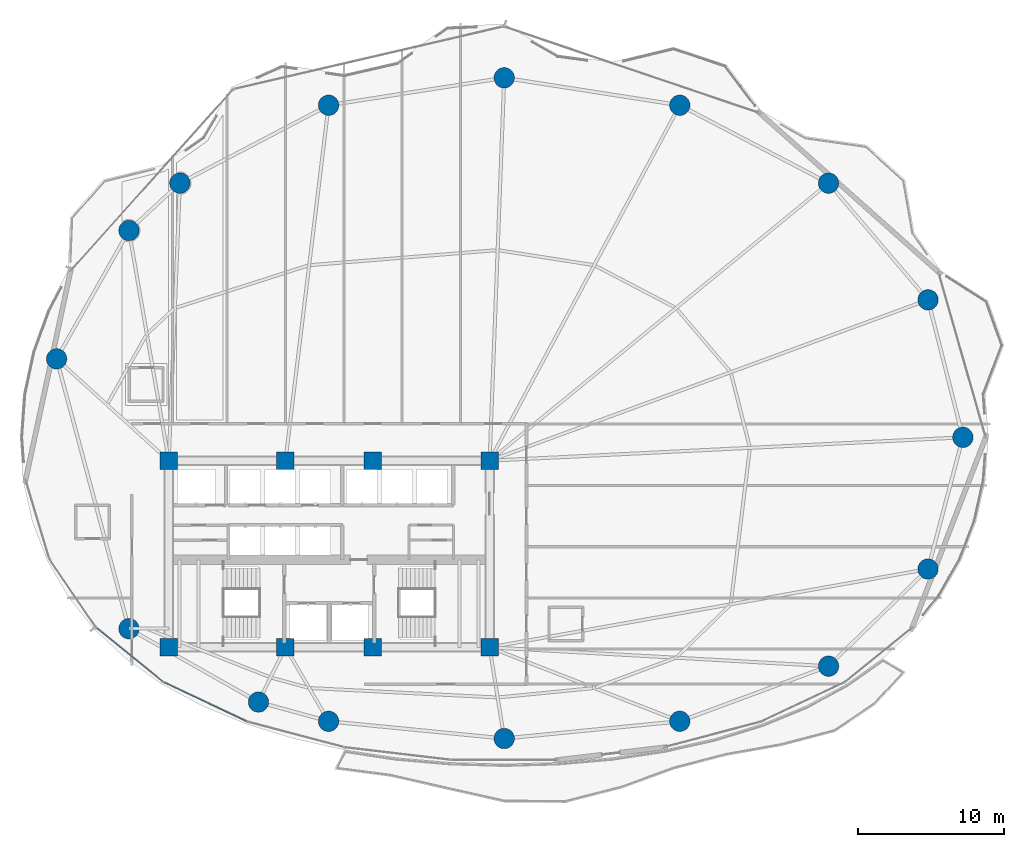
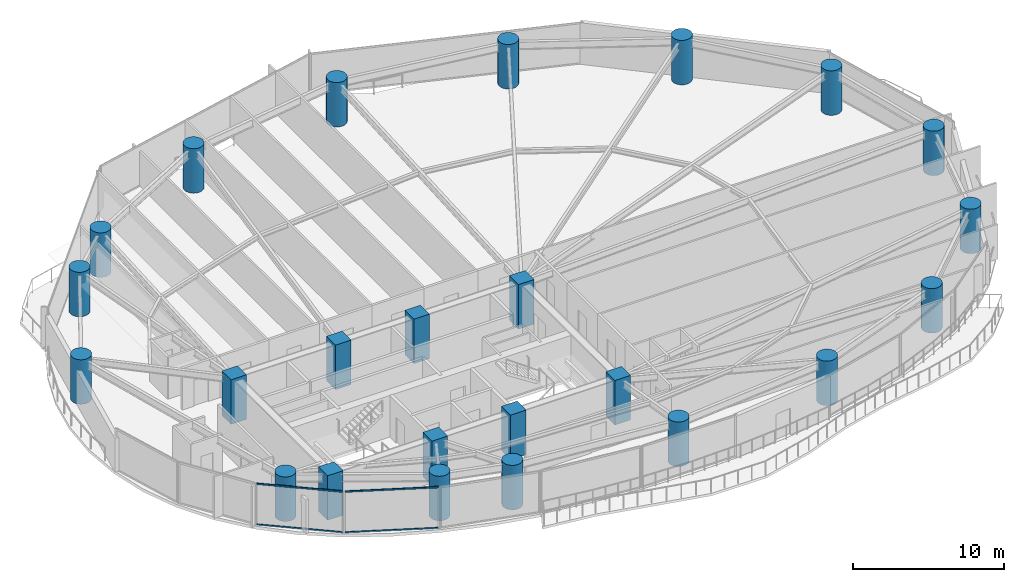
# One storey, part 1 of 32: 24 columns, 4 members, 2 elements without a shape of their own.
"""IFC4 building model written with IfcOpenShell, lengths in metres."""

from ifc_helpers import new_model, si_unit, direction, frame, origin, origin_2d, place, context, subcontext, project, spatial, rectangle, hollow_rectangle, circle, extrude, material, layer, layer_set, material_profile, profile_set, type_object, element, aggregate, save


model = new_model("IFC4")

# Units and contexts
model_context = context("Model", 3, precision=1e-05, world=origin(), true_north=direction((0.0, 1.0)))
body_context = subcontext(model_context, "Body", "Model", "MODEL_VIEW")
ifc_project = project(units=[si_unit("LENGTHUNIT", "METRE"), si_unit("AREAUNIT", "SQUARE_METRE"), si_unit("VOLUMEUNIT", "CUBIC_METRE"), si_unit("PLANEANGLEUNIT", "RADIAN"), si_unit("MASSUNIT", "GRAM", prefix="KILO")], contexts=[model_context])

# Site, building, storey
site_placement = place(None, origin())
site = spatial("IfcSite", under=ifc_project, at=site_placement, CompositionType="ELEMENT")
building_placement = place(site_placement, origin())
building = spatial("IfcBuilding", under=site, at=building_placement, Name="Kazevale Care Tower and Concert Hall", CompositionType="ELEMENT")
storey_placement = place(building_placement, frame((0.0, 0.0, 85.199951171875)))
storey = spatial("IfcBuildingStorey", under=building, at=storey_placement, Name="L22", CompositionType="ELEMENT", Elevation=85.199951171875)

# Columns
ifc_material_1 = material(Name="Concrete C70", Category="concrete")
ifc_material_profile_1 = material_profile(ifc_material_1, rectangle(XDim=1.199951171875, YDim=1.199951171875, at=origin_2d()), Name="RC-SQ1200")
ifc_profile_set_1 = profile_set([ifc_material_profile_1], Name="Concrete C70")
column_type_1 = type_object("IfcColumnType", Name="Core Column SQ1200 C70", PredefinedType="COLUMN", material=ifc_profile_set_1)
for number, where, z_axis, x_axis, name in (
    (1, (22.0, 23.60009765625, 0.0), (0.0, 0.0, 1.0), (1.0, 0.0, 0.0), "col:L22:CC-01"),
    (2, (30.0, 23.60009765625, 0.0), (0.0, 0.0, 1.0), (1.0, 0.0, 0.0), "col:L22:CC-02"),
    (3, (36.0, 23.60009765625, 0.0), (0.0, 0.0, 1.0), (1.0, 0.0, 0.0), "col:L22:CC-03"),
    (4, (44.0, 23.60009765625, 0.0), (0.0, 0.0, 1.0), (1.0, 0.0, 0.0), "col:L22:CC-04"),
    (5, (44.0, 36.39990234375, 0.0), (0.0, 0.0, 1.0), (1.0, 0.0, 0.0), "col:L22:CC-05"),
    (6, (36.0, 36.39990234375, 0.0), (0.0, 0.0, 1.0), (1.0, 0.0, 0.0), "col:L22:CC-06"),
    (7, (30.0, 36.39990234375, 0.0), (0.0, 0.0, 1.0), (1.0, 0.0, 0.0), "col:L22:CC-07"),
    (8, (22.0, 36.39990234375, 0.0), (0.0, 0.0, 1.0), (1.0, 0.0, 0.0), "col:L22:CC-08"),
):
    element("IfcColumn", number, at=place(storey_placement, frame(where, z_axis=z_axis, x_axis=x_axis)), inside=storey, type_object=column_type_1, Name=name, PredefinedType="COLUMN", context=body_context, shape_type="SweptSolid", body=[
        extrude(rectangle(XDim=1.199951171875, YDim=1.199951171875, at=origin_2d()), origin(), (0.0, 0.0, 1.0), 3.60009765625),
    ])
ifc_material_profile_2 = material_profile(ifc_material_1, circle(Radius=0.699951171875, at=origin_2d()), Name="RC-CIR1400")
ifc_profile_set_2 = profile_set([ifc_material_profile_2], Name="Concrete C70")
column_type_2 = type_object("IfcColumnType", Name="Perimeter Column CIR1400 C70", PredefinedType="COLUMN", material=ifc_profile_set_2)
for number, where, z_axis, x_axis, name in (
    (9, (76.449951171875, 38.0, 0.0), (0.0, 0.0, 1.0), (1.0, 0.0, 0.0), "col:L22:PC-01"),
    (10, (74.06005859375, 47.429931640625, 0.0), (0.0, 0.0, 1.0), (1.0, 0.0, 0.0), "col:L22:PC-02"),
    (11, (67.239990234375, 55.429931640625, 0.0), (0.0, 0.0, 1.0), (1.0, 0.0, 0.0), "col:L22:PC-03"),
    (12, (57.0400390625, 60.77001953125, 0.0), (0.0, 0.0, 1.0), (1.0, 0.0, 0.0), "col:L22:PC-04"),
    (13, (45.0, 62.64990234375, 0.0), (0.0, 0.0, 1.0), (1.0, 0.0, 0.0), "col:L22:PC-05"),
    (14, (32.9599609375, 60.77001953125, 0.0), (0.0, 0.0, 1.0), (1.0, 0.0, 0.0), "col:L22:PC-06"),
    (15, (22.760009765625, 55.429931640625, 0.0), (0.0, 0.0, 1.0), (1.0, 0.0, 0.0), "col:L22:PC-07"),
    (16, (19.27001953125, 52.179931640625, 0.0), (0.0, 0.0, 1.0), (1.0, 0.0, 0.0), "col:L22:PC-08"),
    (17, (14.31005859375, 43.3798828125, 0.0), (0.0, 0.0, 1.0), (1.0, 0.0, 0.0), "col:L22:PC-09"),
    (18, (19.27001953125, 24.8798828125, 0.0), (0.0, 0.0, 1.0), (1.0, 0.0, 0.0), "col:L22:PC-10"),
    (19, (28.14990234375, 19.85009765625, 0.0), (0.0, 0.0, 1.0), (1.0, 0.0, 0.0), "col:L22:PC-11"),
    (20, (32.9599609375, 18.530029296875, 0.0), (0.0, 0.0, 1.0), (1.0, 0.0, 0.0), "col:L22:PC-12"),
    (21, (45.0, 17.35009765625, 0.0), (0.0, 0.0, 1.0), (1.0, 0.0, 0.0), "col:L22:PC-13"),
    (22, (57.0400390625, 18.530029296875, 0.0), (0.0, 0.0, 1.0), (1.0, 0.0, 0.0), "col:L22:PC-14"),
    (23, (67.239990234375, 22.31005859375, 0.0), (0.0, 0.0, 1.0), (1.0, 0.0, 0.0), "col:L22:PC-15"),
    (24, (74.06005859375, 28.969970703125, 0.0), (0.0, 0.0, 1.0), (1.0, 0.0, 0.0), "col:L22:PC-16"),
):
    element("IfcColumn", number, at=place(storey_placement, frame(where, z_axis=z_axis, x_axis=x_axis)), inside=storey, type_object=column_type_2, Name=name, PredefinedType="COLUMN", context=body_context, shape_type="SweptSolid", body=[
        extrude(circle(Radius=0.699951171875, at=origin_2d()), origin(), (0.0, 0.0, 1.0), 3.60009765625),
    ])

# Curtain wall, members
ifc_material_2 = material(Name="Aluminium 6063-T6 and Low-E Glass", Category="aluminium")
ifc_layer = layer(ifc_material_2, 0.179931640625)
ifc_layer_set = layer_set([ifc_layer], Name="Aluminium 6063-T6 and Low-E Glass")
curtain_wall_type = type_object("IfcCurtainWallType", Name="Sheltered Concave Balcony Curtain Wall CW-5", PredefinedType="NOTDEFINED", material=ifc_layer_set)
curtain_wall_1_placement = place(storey_placement, origin())
curtain_wall_1 = element("IfcCurtainWall", 25, at=curtain_wall_1_placement, inside=storey, type_object=curtain_wall_type, Name="cw:L22:f09", PredefinedType="NOTDEFINED")
ifc_material_3 = material(Name="Aluminium 6063-T6", Category="aluminium")
ifc_material_profile_3 = material_profile(ifc_material_3, hollow_rectangle(XDim=0.074951171875, YDim=0.1201171875, WallThickness=0.00390625, at=origin_2d()), Name="ALU75x120x4")
ifc_profile_set_3 = profile_set([ifc_material_profile_3], Name="Aluminium 6063-T6")
member_type = type_object("IfcMemberType", Name="CW-5 Transom ALU75x120x4", PredefinedType="USERDEFINED", material=ifc_profile_set_3)
member_1_placement = place(storey_placement, frame((27.3291015625, 18.531005859375, 0.03759765625), z_axis=(-0.904271726847, 0.426957426479, 0.0), x_axis=(-0.426957426479, -0.904271726847, 0.0)))
member_1 = element("IfcMember", 26, at=member_1_placement, type_object=member_type, Name="CW-5 transom 1.1", ObjectType="TRANSOM", PredefinedType="USERDEFINED", context=body_context, shape_type="SweptSolid", body=[
    extrude(hollow_rectangle(XDim=0.074951171875, YDim=0.1201171875, WallThickness=0.00390625, at=origin_2d()), origin(), (0.0, 0.0, 1.0), 6.23974609375),
])
member_2_placement = place(storey_placement, frame((27.3291015625, 18.531005859375, 3.322509765625), z_axis=(-0.904271726847, 0.426957426479, 0.0), x_axis=(-0.426957426479, -0.904271726847, 0.0)))
member_2 = element("IfcMember", 27, at=member_2_placement, type_object=member_type, Name="CW-5 transom 1.2", ObjectType="TRANSOM", PredefinedType="USERDEFINED", context=body_context, shape_type="SweptSolid", body=[
    extrude(hollow_rectangle(XDim=0.074951171875, YDim=0.1201171875, WallThickness=0.00390625, at=origin_2d()), origin(), (0.0, 0.0, 1.0), 6.23974609375),
])
aggregate(curtain_wall_1, [member_1, member_2])

curtain_wall_2_placement = place(storey_placement, origin())
curtain_wall_2 = element("IfcCurtainWall", 28, at=curtain_wall_2_placement, inside=storey, type_object=curtain_wall_type, Name="cw:L22:f10", PredefinedType="NOTDEFINED")
member_3_placement = place(storey_placement, frame((21.560791015625, 21.274169921875, 0.03759765625), z_axis=(-0.77659518273, 0.629999938223, 0.0), x_axis=(-0.629999938223, -0.77659518273, 0.0)))
member_3 = element("IfcMember", 29, at=member_3_placement, type_object=member_type, Name="CW-5 transom 1.1", ObjectType="TRANSOM", PredefinedType="USERDEFINED", context=body_context, shape_type="SweptSolid", body=[
    extrude(hollow_rectangle(XDim=0.074951171875, YDim=0.1201171875, WallThickness=0.00390625, at=origin_2d()), origin(), (0.0, 0.0, 1.0), 5.770751953125),
])
member_4_placement = place(storey_placement, frame((21.560791015625, 21.274169921875, 3.322509765625), z_axis=(-0.77659518273, 0.629999938223, 0.0), x_axis=(-0.629999938223, -0.77659518273, 0.0)))
member_4 = element("IfcMember", 30, at=member_4_placement, type_object=member_type, Name="CW-5 transom 1.2", ObjectType="TRANSOM", PredefinedType="USERDEFINED", context=body_context, shape_type="SweptSolid", body=[
    extrude(hollow_rectangle(XDim=0.074951171875, YDim=0.1201171875, WallThickness=0.00390625, at=origin_2d()), origin(), (0.0, 0.0, 1.0), 5.770751953125),
])
aggregate(curtain_wall_2, [member_3, member_4])

save(model, "model.ifc")
